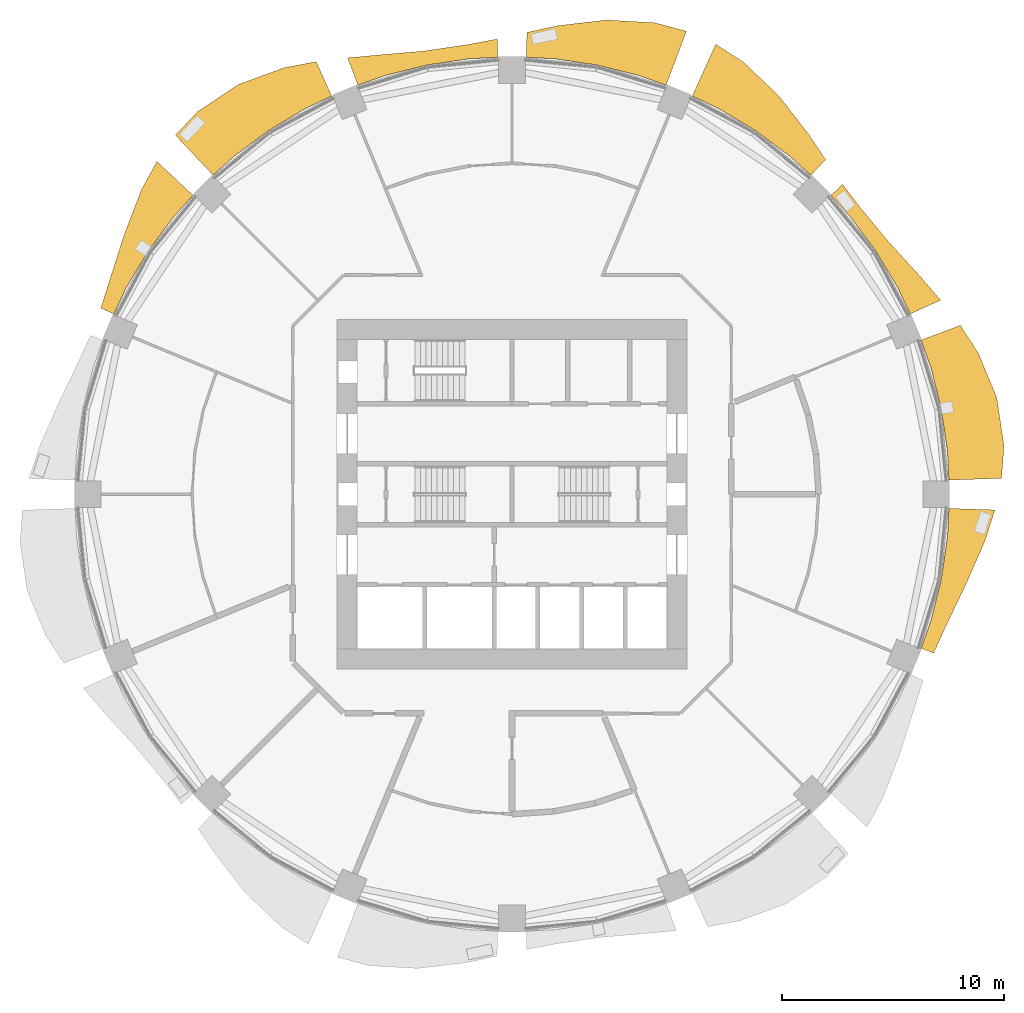
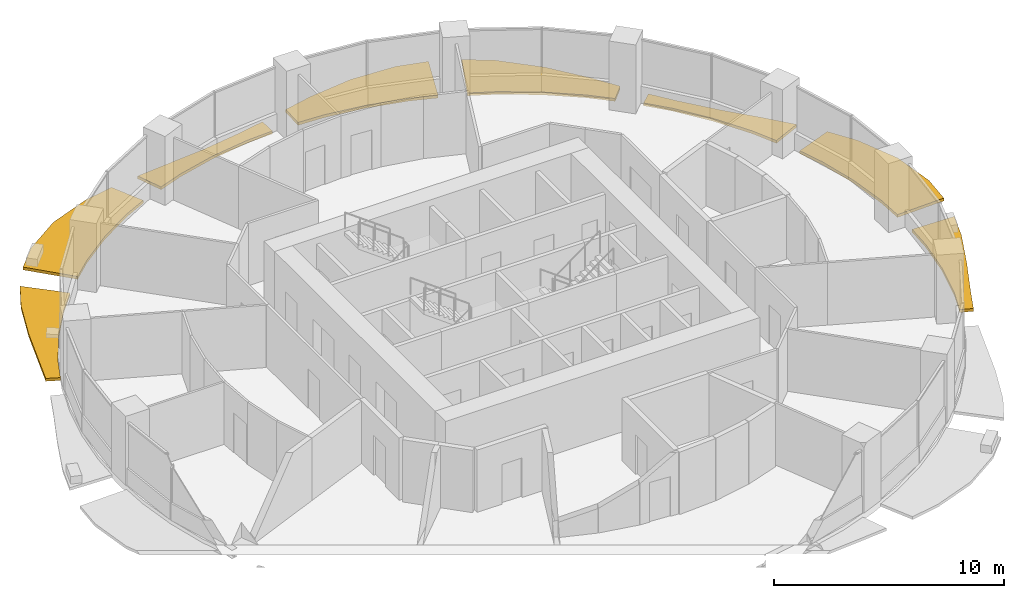
# One storey, part 14 of 15: 8 shading devices.
"""IFC4 building model written with IfcOpenShell, lengths in metres."""

import ifcopenshell
import ifcopenshell.guid

model = None  # the IFC model being written
_history = None  # IfcOwnerHistory: only IFC2X3 demands one
_inside = {}  # id of a spatial element -> (the spatial element, [elements in it])
_under = {}  # id of a project, library or spatial element -> (it, [spatial elements below it])
_declared = {}  # id of a project -> (the project, [libraries it declares])
_typed = {}  # id of a type object -> (the type object, [elements of that type])
_made_of = {}  # id of a material, layer set ... -> (it, [elements and type objects made of it])


def new_model(schema):
    """Start an empty IFC model of exactly this schema.

    Asked for "IFC4X3", IfcOpenShell would pick the latest addendum, in which some entities
    have other attributes; the version numbers below select the first issue.
    IFC2X3 requires an IfcOwnerHistory on every rooted entity: one is made here for all.
    """
    global model, _history
    if schema == "IFC4X3":
        model = ifcopenshell.file(schema_version=(4, 3, 0, 0))
    else:
        model = ifcopenshell.file(schema=schema)
    _inside.clear()
    _under.clear()
    _declared.clear()
    _typed.clear()
    _made_of.clear()
    _history = None
    if model.schema == "IFC2X3":
        org = make("IfcOrganization", Name="unknown")
        user = make(
            "IfcPersonAndOrganization",
            ThePerson=make("IfcPerson", FamilyName="unknown"),
            TheOrganization=org,
        )
        app = make(
            "IfcApplication",
            ApplicationDeveloper=org,
            Version="unknown",
            ApplicationFullName="unknown",
            ApplicationIdentifier="unknown",
        )
        _history = make(
            "IfcOwnerHistory",
            OwningUser=user,
            OwningApplication=app,
            ChangeAction="ADDED",
            CreationDate=0,
        )
    return model


def make(cls, **values):
    """One entity of the class cls with the attributes given. An attribute that is None is left unset."""
    return model.create_entity(
        cls, **{name: value for name, value in values.items() if value is not None}
    )


def rooted(cls, **values):
    """An entity with a GlobalId (a new one), such as an element, a storey or a relation."""
    return make(cls, GlobalId=ifcopenshell.guid.new(), OwnerHistory=_history, **values)


def si_unit(unit_type, name, prefix=None):
    """IfcSIUnit, for example si_unit("LENGTHUNIT", "METRE", prefix="MILLI")."""
    return make("IfcSIUnit", UnitType=unit_type, Prefix=prefix, Name=name)


def assignment(units):
    """IfcUnitAssignment: the units of a project."""
    return None if units is None else make("IfcUnitAssignment", Units=units)


def point(xyz):
    """IfcCartesianPoint."""
    return None if xyz is None else make("IfcCartesianPoint", Coordinates=xyz)


def direction(xyz):
    """IfcDirection."""
    return None if xyz is None else make("IfcDirection", DirectionRatios=xyz)


def frame(location, z_axis=None, x_axis=None):
    """IfcAxis2Placement3D, a coordinate frame: its origin and axes. An axis left out is left unset."""
    return make(
        "IfcAxis2Placement3D",
        Location=point(location),
        Axis=direction(z_axis),
        RefDirection=direction(x_axis),
    )


def origin():
    """The frame at (0, 0, 0) with its axes left unset."""
    return frame((0.0, 0.0, 0.0))


def place(relative_to, where):
    """IfcLocalPlacement: puts the frame where relative to a parent placement (None: the world)."""
    return make(
        "IfcLocalPlacement", PlacementRelTo=relative_to, RelativePlacement=where
    )


def context(
    kind, dimensions, precision=None, world=None, true_north=None, identifier=None
):
    """IfcGeometricRepresentationContext, for example the 3D "Model" context."""
    return make(
        "IfcGeometricRepresentationContext",
        ContextIdentifier=identifier,
        ContextType=kind,
        CoordinateSpaceDimension=dimensions,
        Precision=precision,
        WorldCoordinateSystem=world,
        TrueNorth=true_north,
    )


def subcontext(parent, identifier, kind, view, scale=None):
    """IfcGeometricRepresentationSubContext, for example "Body" below "Model"."""
    return make(
        "IfcGeometricRepresentationSubContext",
        ContextIdentifier=identifier,
        ContextType=kind,
        ParentContext=parent,
        TargetScale=scale,
        TargetView=view,
    )


def project(units=None, contexts=None):
    """IfcProject with its units and contexts."""
    return rooted(
        "IfcProject",
        Name="project",
        RepresentationContexts=contexts,
        UnitsInContext=assignment(units),
    )


def spatial(cls, under=None, at=None, **own):
    """A site, building, storey or space (cls), placed at a placement, below another one or the project."""
    s = rooted(cls, ObjectPlacement=at, **own)
    if under is not None:
        _under.setdefault(under.id(), (under, []))[1].append(s)
    return s


def polyline(points):
    """IfcPolyline through the points."""
    return make("IfcPolyline", Points=[point(p) for p in points])


def outline(outer, holes=None, kind="AREA"):
    """IfcArbitraryClosedProfileDef: a profile drawn as a closed curve; with holes, ...WithVoids."""
    if holes is None:
        return make("IfcArbitraryClosedProfileDef", ProfileType=kind, OuterCurve=outer)
    return make(
        "IfcArbitraryProfileDefWithVoids",
        ProfileType=kind,
        OuterCurve=outer,
        InnerCurves=holes,
    )


def extrude(swept, where, along, depth):
    """IfcExtrudedAreaSolid: the profile swept, set in the frame where, extruded along a direction by depth."""
    return make(
        "IfcExtrudedAreaSolid",
        SweptArea=swept,
        Position=where,
        ExtrudedDirection=direction(along),
        Depth=depth,
    )


def shape(context_of_items, identifier, shape_type, items):
    """IfcShapeRepresentation: the items that make up one representation, for example the "Body"."""
    return make(
        "IfcShapeRepresentation",
        ContextOfItems=context_of_items,
        RepresentationIdentifier=identifier,
        RepresentationType=shape_type,
        Items=items,
    )


def material(Name=None, Category=None):
    """IfcMaterial."""
    return make("IfcMaterial", Name=Name, Category=Category)


def made_of(thing, what):
    """Note that an element or type object is made of a material, layer set ...; save() writes the relation."""
    if what is not None:
        _made_of.setdefault(what.id(), (what, []))[1].append(thing)
    return thing


def type_object(cls, material=None, **own):
    """A type object (cls), such as IfcWallType, which elements share."""
    return made_of(rooted(cls, **own), material)


def element(
    cls,
    number,
    at=None,
    inside=None,
    cuts=None,
    type_object=None,
    material=None,
    context=None,
    identifier="Body",
    shape_type=None,
    held_by="IfcProductDefinitionShape",
    body=None,
    shapes=None,
    **own,
):
    """One element of the class cls, such as IfcWall. Its Tag is "e" and its number.

    at: its placement. inside: the storey or other place that contains it. cuts: it is an
    opening in that element (IfcRelVoidsElement). A single representation is given by context,
    identifier, shape_type and body (its items); several are given by shapes. held_by: the class
    of the entity that holds the representations. save() writes the other relations.
    """
    e = rooted(cls, Tag="e%d" % number, ObjectPlacement=at, **own)
    if body is not None:
        shapes = [shape(context, identifier, shape_type, body)]
    if shapes is not None:
        e.Representation = make(held_by, Representations=shapes)
    if inside is not None:
        _inside.setdefault(inside.id(), (inside, []))[1].append(e)
    if cuts is not None:
        rooted(
            "IfcRelVoidsElement", RelatingBuildingElement=cuts, RelatedOpeningElement=e
        )
    if type_object is not None:
        _typed.setdefault(type_object.id(), (type_object, []))[1].append(e)
    return made_of(e, material)


def aggregate(whole, parts):
    """IfcRelAggregates: a whole, such as a stair, and the parts it consists of."""
    return rooted("IfcRelAggregates", RelatingObject=whole, RelatedObjects=parts)


def save(model, path):
    """Write the relations noted so far, then the file.

    IfcRelAggregates (storeys below a building ...), IfcRelContainedInSpatialStructure (elements
    in a storey), IfcRelDefinesByType, IfcRelAssociatesMaterial and IfcRelDeclares: one each for
    every whole, place, type object, material and project.
    """
    for whole, parts in _under.values():
        aggregate(whole, parts)
    for where, things in _inside.values():
        rooted(
            "IfcRelContainedInSpatialStructure",
            RelatedElements=things,
            RelatingStructure=where,
        )
    for kind, things in _typed.values():
        rooted("IfcRelDefinesByType", RelatedObjects=things, RelatingType=kind)
    for what, things in _made_of.values():
        rooted("IfcRelAssociatesMaterial", RelatedObjects=things, RelatingMaterial=what)
    for by, libraries in _declared.values():
        rooted("IfcRelDeclares", RelatingContext=by, RelatedDefinitions=libraries)
    model.write(path)


model = new_model("IFC4")

# Units and contexts
model_context = context("Model", 3, precision=1e-05, world=origin(), true_north=direction((0.0, 1.0)))
body_context = subcontext(model_context, "Body", "Model", "MODEL_VIEW")
ifc_project = project(units=[si_unit("LENGTHUNIT", "METRE"), si_unit("AREAUNIT", "SQUARE_METRE"), si_unit("VOLUMEUNIT", "CUBIC_METRE"), si_unit("PLANEANGLEUNIT", "RADIAN"), si_unit("MASSUNIT", "GRAM", prefix="KILO")], contexts=[model_context])

# Site, building, storey
site_placement = place(None, origin())
site = spatial("IfcSite", under=ifc_project, at=site_placement, CompositionType="ELEMENT")
building_placement = place(site_placement, origin())
building = spatial("IfcBuilding", under=site, at=building_placement, Name="Polderwave Tower", CompositionType="ELEMENT")
storey_placement = place(building_placement, frame((0.0, 0.0, 40.800048828125)))
storey = spatial("IfcBuildingStorey", under=building, at=storey_placement, Name="L10", CompositionType="ELEMENT", Elevation=40.800048828125)

# Shading devices
ifc_material = material(Name="Terracotta", Category="masonry")
shading_device_type = type_object("IfcShadingDeviceType", Name="Terracotta sunshade band", PredefinedType="USERDEFINED", material=ifc_material)
shading_device_1_placement = place(storey_placement, frame((0.0, 0.0, -0.35009765625)))
element("IfcShadingDevice", 1, at=shading_device_1_placement, inside=storey, type_object=shading_device_type, Name="Sunshade band L10 1", ObjectType="SUNSHADE", PredefinedType="USERDEFINED", context=body_context, shape_type="SweptSolid", body=[
    extrude(outline(polyline([(19.6787109375, 0.637939453125), (19.614990234375, 1.931884765625), (19.331298828125, 3.84521484375), (18.861328125, 5.721435546875), (18.4248046875, 6.94140625), (20.189697265625, 7.606201171875), (20.99755859375, 6.36962890625), (21.83837890625, 4.343994140625), (22.160400390625, 2.1826171875), (22.05078125, 0.71484375), (19.6787109375, 0.637939453125)])), origin(), (0.0, 0.0, 1.0), 0.150146484375),
])
shading_device_2_placement = place(storey_placement, frame((0.0, 0.0, -0.35009765625)))
element("IfcShadingDevice", 2, at=shading_device_2_placement, inside=storey, type_object=shading_device_type, Name="Sunshade band L10 2", ObjectType="SUNSHADE", PredefinedType="USERDEFINED", context=body_context, shape_type="SweptSolid", body=[
    extrude(outline(polyline([(17.9365234375, 8.1201171875), (17.3828125, 9.291259765625), (16.38818359375, 10.9501953125), (15.236083984375, 12.50390625), (14.365966796875, 13.4638671875), (14.8916015625, 13.956298828125), (15.703857421875, 12.8876953125), (16.984375, 11.3486328125), (18.3759765625, 9.822265625), (19.304443359375, 8.7392578125), (17.9365234375, 8.1201171875)])), origin(), (0.0, 0.0, 1.0), 0.150146484375),
])
shading_device_3_placement = place(storey_placement, frame((0.0, 0.0, -0.35009765625)))
element("IfcShadingDevice", 3, at=shading_device_3_placement, inside=storey, type_object=shading_device_type, Name="Sunshade band L10 3", ObjectType="SUNSHADE", PredefinedType="USERDEFINED", context=body_context, shape_type="SweptSolid", body=[
    extrude(outline(polyline([(13.4638671875, 14.365966796875), (12.50390625, 15.236083984375), (10.9501953125, 16.38818359375), (9.291259765625, 17.3828125), (8.1201171875, 17.9365234375), (9.175048828125, 20.26708984375), (10.41064453125, 19.476806640625), (12.001708984375, 17.9619140625), (13.336181640625, 16.250244140625), (14.12451171875, 15.07080078125), (13.4638671875, 14.365966796875)])), origin(), (0.0, 0.0, 1.0), 0.150146484375),
])
shading_device_4_placement = place(storey_placement, frame((0.0, 0.0, -0.35009765625)))
element("IfcShadingDevice", 4, at=shading_device_4_placement, inside=storey, type_object=shading_device_type, Name="Sunshade band L10 4", ObjectType="SUNSHADE", PredefinedType="USERDEFINED", context=body_context, shape_type="SweptSolid", body=[
    extrude(outline(polyline([(6.94140625, 18.4248046875), (5.721435546875, 18.861328125), (3.84521484375, 19.331298828125), (1.931884765625, 19.614990234375), (0.637939453125, 19.6787109375), (0.67431640625, 20.802734375), (2.078857421875, 21.107421875), (4.248779296875, 21.360595703125), (6.441650390625, 21.235107421875), (7.856201171875, 20.853271484375), (6.94140625, 18.4248046875)])), origin(), (0.0, 0.0, 1.0), 0.150146484375),
])
shading_device_5_placement = place(storey_placement, frame((0.0, 0.0, -0.35009765625)))
element("IfcShadingDevice", 5, at=shading_device_5_placement, inside=storey, type_object=shading_device_type, Name="Sunshade band L10 5", ObjectType="SUNSHADE", PredefinedType="USERDEFINED", context=body_context, shape_type="SweptSolid", body=[
    extrude(outline(polyline([(-0.637939453125, 19.6787109375), (-1.931884765625, 19.614990234375), (-3.84521484375, 19.331298828125), (-5.721435546875, 18.861328125), (-6.94140625, 18.4248046875), (-7.404541015625, 19.654296875), (-6.00244140625, 19.787109375), (-3.970703125, 19.962646484375), (-1.994873046875, 20.25439453125), (-0.664794921875, 20.5048828125), (-0.637939453125, 19.6787109375)])), origin(), (0.0, 0.0, 1.0), 0.150146484375),
])
shading_device_6_placement = place(storey_placement, frame((0.0, 0.0, -0.35009765625)))
element("IfcShadingDevice", 6, at=shading_device_6_placement, inside=storey, type_object=shading_device_type, Name="Sunshade band L10 6", ObjectType="SUNSHADE", PredefinedType="USERDEFINED", context=body_context, shape_type="SweptSolid", body=[
    extrude(outline(polyline([(-8.1201171875, 17.9365234375), (-9.291259765625, 17.3828125), (-10.9501953125, 16.38818359375), (-12.50390625, 15.236083984375), (-13.4638671875, 14.365966796875), (-15.15966796875, 16.17529296875), (-14.150146484375, 17.241943359375), (-12.329833984375, 18.452880859375), (-10.268798828125, 19.21142578125), (-8.820556640625, 19.48388671875), (-8.1201171875, 17.9365234375)])), origin(), (0.0, 0.0, 1.0), 0.150146484375),
])
shading_device_7_placement = place(storey_placement, frame((0.0, 0.0, -0.35009765625)))
element("IfcShadingDevice", 7, at=shading_device_7_placement, inside=storey, type_object=shading_device_type, Name="Sunshade band L10 7", ObjectType="SUNSHADE", PredefinedType="USERDEFINED", context=body_context, shape_type="SweptSolid", body=[
    extrude(outline(polyline([(-14.365966796875, 13.4638671875), (-15.236083984375, 12.50390625), (-16.38818359375, 10.9501953125), (-17.3828125, 9.291259765625), (-17.9365234375, 8.1201171875), (-18.521240234375, 8.384765625), (-18.110595703125, 9.680419921875), (-17.47509765625, 11.676513671875), (-16.6953125, 13.701416015625), (-15.995849609375, 14.991455078125), (-14.365966796875, 13.4638671875)])), origin(), (0.0, 0.0, 1.0), 0.150146484375),
])
shading_device_8_placement = place(storey_placement, frame((0.0, 0.0, -0.35009765625)))
element("IfcShadingDevice", 8, at=shading_device_8_placement, inside=storey, type_object=shading_device_type, Name="Sunshade band L10 16", ObjectType="SUNSHADE", PredefinedType="USERDEFINED", context=body_context, shape_type="SweptSolid", body=[
    extrude(outline(polyline([(18.4248046875, -6.94140625), (18.861328125, -5.721435546875), (19.331298828125, -3.84521484375), (19.614990234375, -1.931884765625), (19.6787109375, -0.637939453125), (21.7529296875, -0.705078125), (21.307373046875, -2.0986328125), (20.4404296875, -4.06591796875), (19.549560546875, -5.930419921875), (18.990966796875, -7.154541015625), (18.4248046875, -6.94140625)])), origin(), (0.0, 0.0, 1.0), 0.150146484375),
])

save(model, "model.ifc")
